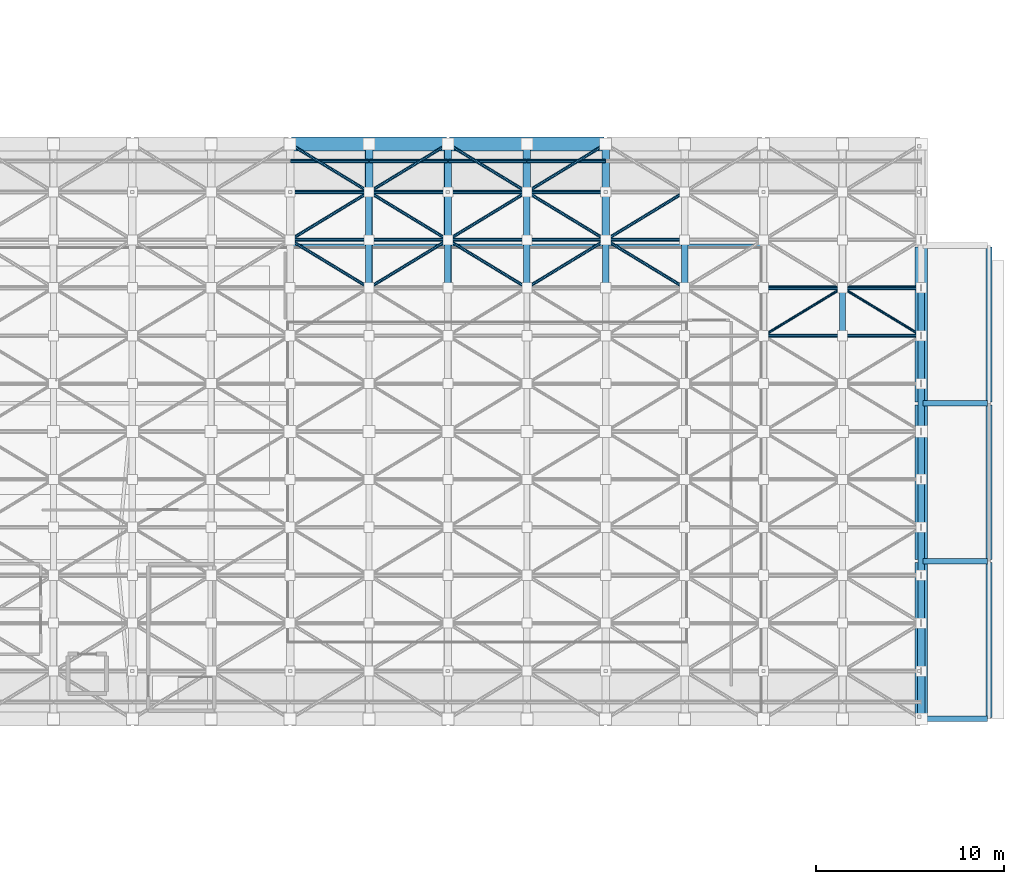
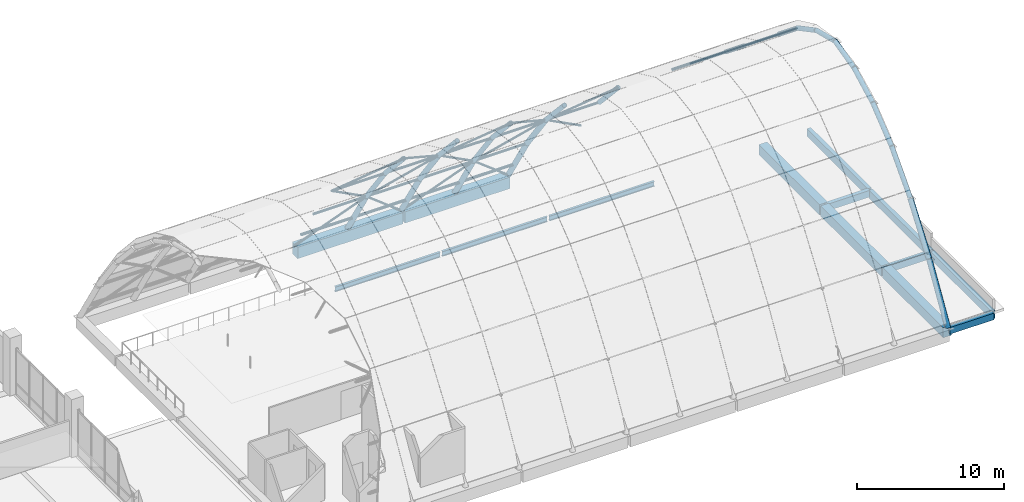
# One storey, part 36 of 128: 41 members, 29 beams.
"""IFC4 building model written with IfcOpenShell, lengths in metres."""

import ifcopenshell
import ifcopenshell.guid

model = None  # the IFC model being written
_history = None  # IfcOwnerHistory: only IFC2X3 demands one
_inside = {}  # id of a spatial element -> (the spatial element, [elements in it])
_under = {}  # id of a project, library or spatial element -> (it, [spatial elements below it])
_declared = {}  # id of a project -> (the project, [libraries it declares])
_typed = {}  # id of a type object -> (the type object, [elements of that type])
_made_of = {}  # id of a material, layer set ... -> (it, [elements and type objects made of it])


def new_model(schema):
    """Start an empty IFC model of exactly this schema.

    Asked for "IFC4X3", IfcOpenShell would pick the latest addendum, in which some entities
    have other attributes; the version numbers below select the first issue.
    IFC2X3 requires an IfcOwnerHistory on every rooted entity: one is made here for all.
    """
    global model, _history
    if schema == "IFC4X3":
        model = ifcopenshell.file(schema_version=(4, 3, 0, 0))
    else:
        model = ifcopenshell.file(schema=schema)
    _inside.clear()
    _under.clear()
    _declared.clear()
    _typed.clear()
    _made_of.clear()
    _history = None
    if model.schema == "IFC2X3":
        org = make("IfcOrganization", Name="unknown")
        user = make(
            "IfcPersonAndOrganization",
            ThePerson=make("IfcPerson", FamilyName="unknown"),
            TheOrganization=org,
        )
        app = make(
            "IfcApplication",
            ApplicationDeveloper=org,
            Version="unknown",
            ApplicationFullName="unknown",
            ApplicationIdentifier="unknown",
        )
        _history = make(
            "IfcOwnerHistory",
            OwningUser=user,
            OwningApplication=app,
            ChangeAction="ADDED",
            CreationDate=0,
        )
    return model


def make(cls, **values):
    """One entity of the class cls with the attributes given. An attribute that is None is left unset."""
    return model.create_entity(
        cls, **{name: value for name, value in values.items() if value is not None}
    )


def rooted(cls, **values):
    """An entity with a GlobalId (a new one), such as an element, a storey or a relation."""
    return make(cls, GlobalId=ifcopenshell.guid.new(), OwnerHistory=_history, **values)


def si_unit(unit_type, name, prefix=None):
    """IfcSIUnit, for example si_unit("LENGTHUNIT", "METRE", prefix="MILLI")."""
    return make("IfcSIUnit", UnitType=unit_type, Prefix=prefix, Name=name)


def assignment(units):
    """IfcUnitAssignment: the units of a project."""
    return None if units is None else make("IfcUnitAssignment", Units=units)


def point(xyz):
    """IfcCartesianPoint."""
    return None if xyz is None else make("IfcCartesianPoint", Coordinates=xyz)


def direction(xyz):
    """IfcDirection."""
    return None if xyz is None else make("IfcDirection", DirectionRatios=xyz)


def frame(location, z_axis=None, x_axis=None):
    """IfcAxis2Placement3D, a coordinate frame: its origin and axes. An axis left out is left unset."""
    return make(
        "IfcAxis2Placement3D",
        Location=point(location),
        Axis=direction(z_axis),
        RefDirection=direction(x_axis),
    )


def frame_2d(location, x_axis=None):
    """IfcAxis2Placement2D, a coordinate frame in the plane: its origin and x axis."""
    return make(
        "IfcAxis2Placement2D", Location=point(location), RefDirection=direction(x_axis)
    )


def origin():
    """The frame at (0, 0, 0) with its axes left unset."""
    return frame((0.0, 0.0, 0.0))


def origin_2d():
    """The frame at (0, 0) in the plane with its x axis left unset."""
    return frame_2d((0.0, 0.0))


def place(relative_to, where):
    """IfcLocalPlacement: puts the frame where relative to a parent placement (None: the world)."""
    return make(
        "IfcLocalPlacement", PlacementRelTo=relative_to, RelativePlacement=where
    )


def context(
    kind, dimensions, precision=None, world=None, true_north=None, identifier=None
):
    """IfcGeometricRepresentationContext, for example the 3D "Model" context."""
    return make(
        "IfcGeometricRepresentationContext",
        ContextIdentifier=identifier,
        ContextType=kind,
        CoordinateSpaceDimension=dimensions,
        Precision=precision,
        WorldCoordinateSystem=world,
        TrueNorth=true_north,
    )


def subcontext(parent, identifier, kind, view, scale=None):
    """IfcGeometricRepresentationSubContext, for example "Body" below "Model"."""
    return make(
        "IfcGeometricRepresentationSubContext",
        ContextIdentifier=identifier,
        ContextType=kind,
        ParentContext=parent,
        TargetScale=scale,
        TargetView=view,
    )


def project(units=None, contexts=None):
    """IfcProject with its units and contexts."""
    return rooted(
        "IfcProject",
        Name="project",
        RepresentationContexts=contexts,
        UnitsInContext=assignment(units),
    )


def spatial(cls, under=None, at=None, **own):
    """A site, building, storey or space (cls), placed at a placement, below another one or the project."""
    s = rooted(cls, ObjectPlacement=at, **own)
    if under is not None:
        _under.setdefault(under.id(), (under, []))[1].append(s)
    return s


def profile(cls, at=None, kind="AREA", **sizes):
    """A parametric profile (cls). Its sizes go by their IFC names, for example OverallWidth=200.0."""
    return make(cls, ProfileType=kind, Position=at, **sizes)


def rectangle(**sizes):
    """IfcRectangleProfileDef."""
    return profile("IfcRectangleProfileDef", **sizes)


def hollow_circle(**sizes):
    """IfcCircleHollowProfileDef."""
    return profile("IfcCircleHollowProfileDef", **sizes)


def i_section(**sizes):
    """IfcIShapeProfileDef."""
    return profile("IfcIShapeProfileDef", **sizes)


def extrude(swept, where, along, depth):
    """IfcExtrudedAreaSolid: the profile swept, set in the frame where, extruded along a direction by depth."""
    return make(
        "IfcExtrudedAreaSolid",
        SweptArea=swept,
        Position=where,
        ExtrudedDirection=direction(along),
        Depth=depth,
    )


def shape(context_of_items, identifier, shape_type, items):
    """IfcShapeRepresentation: the items that make up one representation, for example the "Body"."""
    return make(
        "IfcShapeRepresentation",
        ContextOfItems=context_of_items,
        RepresentationIdentifier=identifier,
        RepresentationType=shape_type,
        Items=items,
    )


def material(Name=None, Category=None):
    """IfcMaterial."""
    return make("IfcMaterial", Name=Name, Category=Category)


def material_profile(
    of_material, cross_section, Name=None, Category=None, Priority=None
):
    """IfcMaterialProfile: a cross section and its material."""
    return make(
        "IfcMaterialProfile",
        Name=Name,
        Material=of_material,
        Profile=cross_section,
        Priority=Priority,
        Category=Category,
    )


def profile_set(profiles, Name=None, composite=None):
    """IfcMaterialProfileSet."""
    return make(
        "IfcMaterialProfileSet",
        Name=Name,
        MaterialProfiles=profiles,
        CompositeProfile=composite,
    )


def made_of(thing, what):
    """Note that an element or type object is made of a material, layer set ...; save() writes the relation."""
    if what is not None:
        _made_of.setdefault(what.id(), (what, []))[1].append(thing)
    return thing


def type_object(cls, material=None, **own):
    """A type object (cls), such as IfcWallType, which elements share."""
    return made_of(rooted(cls, **own), material)


def element(
    cls,
    number,
    at=None,
    inside=None,
    cuts=None,
    type_object=None,
    material=None,
    context=None,
    identifier="Body",
    shape_type=None,
    held_by="IfcProductDefinitionShape",
    body=None,
    shapes=None,
    **own,
):
    """One element of the class cls, such as IfcWall. Its Tag is "e" and its number.

    at: its placement. inside: the storey or other place that contains it. cuts: it is an
    opening in that element (IfcRelVoidsElement). A single representation is given by context,
    identifier, shape_type and body (its items); several are given by shapes. held_by: the class
    of the entity that holds the representations. save() writes the other relations.
    """
    e = rooted(cls, Tag="e%d" % number, ObjectPlacement=at, **own)
    if body is not None:
        shapes = [shape(context, identifier, shape_type, body)]
    if shapes is not None:
        e.Representation = make(held_by, Representations=shapes)
    if inside is not None:
        _inside.setdefault(inside.id(), (inside, []))[1].append(e)
    if cuts is not None:
        rooted(
            "IfcRelVoidsElement", RelatingBuildingElement=cuts, RelatedOpeningElement=e
        )
    if type_object is not None:
        _typed.setdefault(type_object.id(), (type_object, []))[1].append(e)
    return made_of(e, material)


def aggregate(whole, parts):
    """IfcRelAggregates: a whole, such as a stair, and the parts it consists of."""
    return rooted("IfcRelAggregates", RelatingObject=whole, RelatedObjects=parts)


def save(model, path):
    """Write the relations noted so far, then the file.

    IfcRelAggregates (storeys below a building ...), IfcRelContainedInSpatialStructure (elements
    in a storey), IfcRelDefinesByType, IfcRelAssociatesMaterial and IfcRelDeclares: one each for
    every whole, place, type object, material and project.
    """
    for whole, parts in _under.values():
        aggregate(whole, parts)
    for where, things in _inside.values():
        rooted(
            "IfcRelContainedInSpatialStructure",
            RelatedElements=things,
            RelatingStructure=where,
        )
    for kind, things in _typed.values():
        rooted("IfcRelDefinesByType", RelatedObjects=things, RelatingType=kind)
    for what, things in _made_of.values():
        rooted("IfcRelAssociatesMaterial", RelatedObjects=things, RelatingMaterial=what)
    for by, libraries in _declared.values():
        rooted("IfcRelDeclares", RelatingContext=by, RelatedDefinitions=libraries)
    model.write(path)


model = new_model("IFC4")

# Units and contexts
model_context = context("Model", 3, precision=1e-05, world=origin(), true_north=direction((0.0, 1.0)))
body_context = subcontext(model_context, "Body", "Model", "MODEL_VIEW")
ifc_project = project(units=[si_unit("LENGTHUNIT", "METRE"), si_unit("AREAUNIT", "SQUARE_METRE"), si_unit("VOLUMEUNIT", "CUBIC_METRE"), si_unit("PLANEANGLEUNIT", "RADIAN"), si_unit("MASSUNIT", "GRAM", prefix="KILO")], contexts=[model_context])

# Site, building, storey
site_placement = place(None, origin())
site = spatial("IfcSite", under=ifc_project, at=site_placement, CompositionType="ELEMENT")
building_placement = place(site_placement, origin())
building = spatial("IfcBuilding", under=site, at=building_placement, Name="Telukmera Botanical Conservatory", CompositionType="ELEMENT")
storey_placement = place(building_placement, frame((0.0, 0.0, 5.39990234375)))
storey = spatial("IfcBuildingStorey", under=building, at=storey_placement, Name="L01", CompositionType="ELEMENT", Elevation=5.39990234375)

# Beams
ifc_material_1 = material(Name="Concrete C40/50", Category="concrete")
ifc_material_profile_1 = material_profile(ifc_material_1, rectangle(XDim=0.300048828125, YDim=0.550048828125, at=origin_2d()), Name="RC 300x550")
ifc_profile_set_1 = profile_set([ifc_material_profile_1], Name="Concrete C40/50")
beam_type_1 = type_object("IfcBeamType", Name="Beam_B10", PredefinedType="BEAM", material=ifc_profile_set_1)
for number, where, z_axis, x_axis, name in (
    (1, (168.080078125, 17.60009765625, -0.27490234375), (1.0, 0.0, 0.0), (0.0, 1.0, 0.0), "Conservatory Beam beam:V1:L01:east_x:176"),
    (2, (168.080078125, 26.0, -0.27490234375), (1.0, 0.0, 0.0), (0.0, 1.0, 0.0), "Conservatory Beam beam:V1:L01:east_x:260"),
    (3, (168.080078125, 34.39990234375, -0.27490234375), (1.0, 0.0, 0.0), (0.0, 1.0, 0.0), "Conservatory Beam beam:V1:L01:east_x:344"),
):
    element("IfcBeam", number, at=place(storey_placement, frame(where, z_axis=z_axis, x_axis=x_axis)), inside=storey, type_object=beam_type_1, Name=name, PredefinedType="BEAM", context=body_context, shape_type="SweptSolid", body=[
        extrude(rectangle(XDim=0.300048828125, YDim=0.550048828125, at=origin_2d()), origin(), (0.0, 0.0, 1.0), 3.43994140625),
    ])
ifc_material_2 = material(Name="Steel S355", Category="steel")
ifc_material_profile_2 = material_profile(ifc_material_2, hollow_circle(Radius=0.203125, WallThickness=0.01611328125, at=origin_2d()), Name="CHS 406.4x16.0")
ifc_profile_set_2 = profile_set([ifc_material_profile_2], Name="Steel S355")
beam_type_2 = type_object("IfcBeamType", Name="Beam_GA1", PredefinedType="BEAM", material=ifc_profile_set_2)
beam_1_placement = place(storey_placement, frame((142.800048828125, 43.11181640625, 7.562255859375), z_axis=(0.0, 0.591606531355, -0.806226836603), x_axis=(-1.0, 0.0, 0.0)))
element("IfcBeam", 4, at=beam_1_placement, inside=storey, type_object=beam_type_2, Name="Conservatory Gridshell Primary Arch Rib A06-10", PredefinedType="BEAM", context=body_context, shape_type="SweptSolid", body=[
    extrude(hollow_circle(Radius=0.203125, WallThickness=0.01611328125, at=origin_2d()), origin(), (0.0, 0.0, 1.0), 4.270263671875),
])
beam_2_placement = place(storey_placement, frame((142.800048828125, 45.660400390625, 4.086181640625), z_axis=(0.0, 0.5205024389, -0.853860182406), x_axis=(-1.0, 0.0, 0.0)))
element("IfcBeam", 5, at=beam_2_placement, inside=storey, type_object=beam_type_2, Name="Conservatory Gridshell Primary Arch Rib A06-11", PredefinedType="BEAM", context=body_context, shape_type="SweptSolid", body=[
    extrude(hollow_circle(Radius=0.203125, WallThickness=0.01611328125, at=origin_2d()), origin(), (0.0, 0.0, 1.0), 4.879150390625),
])
beam_3_placement = place(storey_placement, frame((151.199951171875, 43.11181640625, 7.562255859375), z_axis=(0.0, 0.591606531355, -0.806226836603), x_axis=(-1.0, 0.0, 0.0)))
element("IfcBeam", 6, at=beam_3_placement, inside=storey, type_object=beam_type_2, Name="Conservatory Gridshell Primary Arch Rib A08-10", PredefinedType="BEAM", context=body_context, shape_type="SweptSolid", body=[
    extrude(hollow_circle(Radius=0.203125, WallThickness=0.01611328125, at=origin_2d()), origin(), (0.0, 0.0, 1.0), 4.270263671875),
])
for number, where, z_axis, x_axis, name in (
    (7, (151.199951171875, 45.660400390625, 4.086181640625), (0.0, 0.5205024389, -0.853860182406), (-1.0, 0.0, 0.0), "Conservatory Gridshell Primary Arch Rib A08-11"),
    (8, (168.0, 17.60009765625, -0.079833984375), (0.0, 0.5205024389, 0.853860182406), (-1.0, 0.0, 0.0), "Conservatory Gridshell Primary Arch Rib A12-00"),
):
    element("IfcBeam", number, at=place(storey_placement, frame(where, z_axis=z_axis, x_axis=x_axis)), inside=storey, type_object=beam_type_2, Name=name, PredefinedType="BEAM", context=body_context, shape_type="SweptSolid", body=[
        extrude(hollow_circle(Radius=0.203125, WallThickness=0.01611328125, at=origin_2d()), origin(), (0.0, 0.0, 1.0), 4.879150390625),
    ])
beam_4_placement = place(storey_placement, frame((168.0, 20.161865234375, 4.119384765625), z_axis=(0.0, 0.591606531355, 0.806226836603), x_axis=(-1.0, 0.0, 0.0)))
element("IfcBeam", 9, at=beam_4_placement, inside=storey, type_object=beam_type_2, Name="Conservatory Gridshell Primary Arch Rib A12-01", PredefinedType="BEAM", context=body_context, shape_type="SweptSolid", body=[
    extrude(hollow_circle(Radius=0.203125, WallThickness=0.01611328125, at=origin_2d()), origin(), (0.0, 0.0, 1.0), 4.270263671875),
])
ifc_material_profile_3 = material_profile(ifc_material_2, hollow_circle(Radius=0.177734375, WallThickness=0.012451171875, at=origin_2d()), Name="CHS 355.6x12.5")
ifc_profile_set_3 = profile_set([ifc_material_profile_3], Name="Steel S355")
beam_type_3 = type_object("IfcBeamType", Name="Beam_GA2", PredefinedType="BEAM", material=ifc_profile_set_3)
for number, where, z_axis, x_axis, name in (
    (10, (142.800048828125, 40.563720703125, 10.3310546875), (0.0, 0.677596185256, -0.7354341641), (-1.0, 0.0, 0.0), "Conservatory Gridshell Primary Arch Rib A06-09"),
    (11, (151.199951171875, 40.563720703125, 10.3310546875), (0.0, 0.677596185256, -0.7354341641), (-1.0, 0.0, 0.0), "Conservatory Gridshell Primary Arch Rib A08-09"),
    (12, (168.0, 22.713623046875, 7.593017578125), (0.0, 0.677596185256, 0.7354341641), (-1.0, 0.0, 0.0), "Conservatory Gridshell Primary Arch Rib A12-02"),
):
    element("IfcBeam", number, at=place(storey_placement, frame(where, z_axis=z_axis, x_axis=x_axis)), inside=storey, type_object=beam_type_3, Name=name, PredefinedType="BEAM", context=body_context, shape_type="SweptSolid", body=[
        extrude(hollow_circle(Radius=0.177734375, WallThickness=0.012451171875, at=origin_2d()), origin(), (0.0, 0.0, 1.0), 3.722900390625),
    ])
beam_5_placement = place(storey_placement, frame((168.0, 25.265625, 10.3583984375), z_axis=(0.0, 0.77797662105, 0.628293225413), x_axis=(-1.0, 0.0, 0.0)))
element("IfcBeam", 13, at=beam_5_placement, inside=storey, type_object=beam_type_3, Name="Conservatory Gridshell Primary Arch Rib A12-03", PredefinedType="BEAM", context=body_context, shape_type="SweptSolid", body=[
    extrude(hollow_circle(Radius=0.177734375, WallThickness=0.012451171875, at=origin_2d()), origin(), (0.0, 0.0, 1.0), 3.237548828125),
])
beam_6_placement = place(storey_placement, frame((168.0, 27.817626953125, 12.41455078125), z_axis=(0.0, 0.883608393745, 0.468226661462), x_axis=(-1.0, 0.0, 0.0)))
element("IfcBeam", 14, at=beam_6_placement, inside=storey, type_object=beam_type_3, Name="Conservatory Gridshell Primary Arch Rib A12-04", PredefinedType="BEAM", context=body_context, shape_type="SweptSolid", body=[
    extrude(hollow_circle(Radius=0.177734375, WallThickness=0.012451171875, at=origin_2d()), origin(), (0.0, 0.0, 1.0), 2.845947265625),
])
for number, where, z_axis, x_axis, name in (
    (15, (168.0, 30.369384765625, 13.761474609375), (0.0, 0.969596662505, 0.244708626858), (-1.0, 0.0, 0.0), "Conservatory Gridshell Primary Arch Rib A12-05"),
    (16, (168.0, 32.91943359375, 14.395263671875), (0.0, 0.969596662505, -0.244708626858), (-1.0, 0.0, 0.0), "Conservatory Gridshell Primary Arch Rib A12-06"),
):
    element("IfcBeam", number, at=place(storey_placement, frame(where, z_axis=z_axis, x_axis=x_axis)), inside=storey, type_object=beam_type_3, Name=name, PredefinedType="BEAM", context=body_context, shape_type="SweptSolid", body=[
        extrude(hollow_circle(Radius=0.177734375, WallThickness=0.012451171875, at=origin_2d()), origin(), (0.0, 0.0, 1.0), 2.590087890625),
    ])
beam_7_placement = place(storey_placement, frame((168.0, 35.4677734375, 13.7470703125), z_axis=(0.0, 0.883608393745, -0.468226661462), x_axis=(-1.0, 0.0, 0.0)))
element("IfcBeam", 17, at=beam_7_placement, inside=storey, type_object=beam_type_3, Name="Conservatory Gridshell Primary Arch Rib A12-07", PredefinedType="BEAM", context=body_context, shape_type="SweptSolid", body=[
    extrude(hollow_circle(Radius=0.177734375, WallThickness=0.012451171875, at=origin_2d()), origin(), (0.0, 0.0, 1.0), 2.845947265625),
])
beam_8_placement = place(storey_placement, frame((168.0, 38.015625, 12.392578125), z_axis=(0.0, 0.77797662105, -0.628293225413), x_axis=(-1.0, 0.0, 0.0)))
element("IfcBeam", 18, at=beam_8_placement, inside=storey, type_object=beam_type_3, Name="Conservatory Gridshell Primary Arch Rib A12-08", PredefinedType="BEAM", context=body_context, shape_type="SweptSolid", body=[
    extrude(hollow_circle(Radius=0.177734375, WallThickness=0.012451171875, at=origin_2d()), origin(), (0.0, 0.0, 1.0), 3.237548828125),
])
ifc_material_profile_4 = material_profile(ifc_material_1, rectangle(XDim=0.75, YDim=0.949951171875, at=origin_2d()), Name="RC 750x950")
ifc_profile_set_4 = profile_set([ifc_material_profile_4], Name="Concrete C40/50")
beam_type_4 = type_object("IfcBeamType", Name="Beam_RB1", PredefinedType="BEAM", material=ifc_profile_set_4)
beam_9_placement = place(storey_placement, frame((134.47998046875, 48.199951171875, -0.474853515625), z_axis=(1.0, 0.0, 0.0), x_axis=(0.0, 1.0, 0.0)))
element("IfcBeam", 19, at=beam_9_placement, inside=storey, type_object=beam_type_4, Name="Conservatory Beam beam:V1:L01:rb_x:482:1344", PredefinedType="BEAM", context=body_context, shape_type="SweptSolid", body=[
    extrude(rectangle(XDim=0.75, YDim=0.949951171875, at=origin_2d()), origin(), (0.0, 0.0, 1.0), 8.239990234375),
])
beam_10_placement = place(storey_placement, frame((142.8798828125, 48.199951171875, -0.474853515625), z_axis=(1.0, 0.0, 0.0), x_axis=(0.0, 1.0, 0.0)))
element("IfcBeam", 20, at=beam_10_placement, inside=storey, type_object=beam_type_4, Name="Conservatory Beam beam:V1:L01:rb_x:482:1428", PredefinedType="BEAM", context=body_context, shape_type="SweptSolid", body=[
    extrude(rectangle(XDim=0.75, YDim=0.949951171875, at=origin_2d()), origin(), (0.0, 0.0, 1.0), 8.240234375),
])
ifc_material_profile_5 = material_profile(ifc_material_1, rectangle(XDim=0.64990234375, YDim=0.85009765625, at=origin_2d()), Name="RC 650x850")
ifc_profile_set_5 = profile_set([ifc_material_profile_5], Name="Concrete C40/50")
beam_type_5 = type_object("IfcBeamType", Name="Beam_RB2", PredefinedType="BEAM", material=ifc_profile_set_5)
for number, where, z_axis, x_axis, name in (
    (21, (168.0, 17.679931640625, -0.4248046875), (0.0, 1.0, 0.0), (-1.0, 0.0, 0.0), "Conservatory Beam beam:V1:L01:rb_y:1680:176"),
    (22, (168.0, 26.080078125, -0.4248046875), (0.0, 1.0, 0.0), (-1.0, 0.0, 0.0), "Conservatory Beam beam:V1:L01:rb_y:1680:260"),
    (23, (168.0, 34.47998046875, -0.4248046875), (0.0, 1.0, 0.0), (-1.0, 0.0, 0.0), "Conservatory Beam beam:V1:L01:rb_y:1680:344"),
):
    element("IfcBeam", number, at=place(storey_placement, frame(where, z_axis=z_axis, x_axis=x_axis)), inside=storey, type_object=beam_type_5, Name=name, PredefinedType="BEAM", context=body_context, shape_type="SweptSolid", body=[
        extrude(rectangle(XDim=0.64990234375, YDim=0.85009765625, at=origin_2d()), origin(), (0.0, 0.0, 1.0), 8.239990234375),
    ])
ifc_material_profile_6 = material_profile(ifc_material_2, i_section(OverallWidth=0.1787109375, OverallDepth=0.409423828125, WebThickness=0.0087890625, FlangeThickness=0.014404296875, FilletRadius=0.01025390625, at=origin_2d()), Name="UB 406x178x67")
ifc_profile_set_6 = profile_set([ifc_material_profile_6], Name="Steel S355")
beam_type_6 = type_object("IfcBeamType", Name="Beam_SB4", PredefinedType="BEAM", material=ifc_profile_set_6)
beam_11_placement = place(storey_placement, frame((134.47998046875, 42.800048828125, -0.404541015625), z_axis=(1.0, 0.0, 0.0), x_axis=(0.0, 1.0, 0.0)))
element("IfcBeam", 24, at=beam_11_placement, inside=storey, type_object=beam_type_6, Name="Conservatory Skywalk Steel Girder", PredefinedType="BEAM", context=body_context, shape_type="SweptSolid", body=[
    extrude(i_section(OverallWidth=0.1787109375, OverallDepth=0.409423828125, WebThickness=0.0087890625, FlangeThickness=0.014404296875, FilletRadius=0.01025390625, at=origin_2d()), origin(), (0.0, 0.0, 1.0), 8.239990234375),
])
beam_12_placement = place(storey_placement, frame((142.8798828125, 42.800048828125, -0.404541015625), z_axis=(1.0, 0.0, 0.0), x_axis=(0.0, 1.0, 0.0)))
element("IfcBeam", 25, at=beam_12_placement, inside=storey, type_object=beam_type_6, Name="Conservatory Skywalk Steel Girder", PredefinedType="BEAM", context=body_context, shape_type="SweptSolid", body=[
    extrude(i_section(OverallWidth=0.1787109375, OverallDepth=0.409423828125, WebThickness=0.0087890625, FlangeThickness=0.014404296875, FilletRadius=0.01025390625, at=origin_2d()), origin(), (0.0, 0.0, 1.0), 8.240234375),
])
beam_13_placement = place(storey_placement, frame((151.280029296875, 42.800048828125, -0.404541015625), z_axis=(1.0, 0.0, 0.0), x_axis=(0.0, 1.0, 0.0)))
element("IfcBeam", 26, at=beam_13_placement, inside=storey, type_object=beam_type_6, Name="Conservatory Skywalk Steel Girder", PredefinedType="BEAM", context=body_context, shape_type="SweptSolid", body=[
    extrude(i_section(OverallWidth=0.1787109375, OverallDepth=0.409423828125, WebThickness=0.0087890625, FlangeThickness=0.014404296875, FilletRadius=0.01025390625, at=origin_2d()), origin(), (0.0, 0.0, 1.0), 8.239990234375),
])
ifc_material_3 = material(Name="Precast concrete C40/50", Category="concrete")
ifc_material_profile_7 = material_profile(ifc_material_3, rectangle(XDim=0.300048828125, YDim=0.64990234375, at=origin_2d()), Name="PC 300x650")
ifc_profile_set_7 = profile_set([ifc_material_profile_7], Name="Precast concrete C40/50")
beam_type_7 = type_object("IfcBeamType", Name="Beam_SP4", PredefinedType="SPANDREL", material=ifc_profile_set_7)
for number, where, z_axis, x_axis, name in (
    (27, (171.60009765625, 17.679931640625, -0.324951171875), (0.0, 1.0, 0.0), (-1.0, 0.0, 0.0), "Conservatory Beam beam:V1:L01:east_y:176"),
    (28, (171.60009765625, 26.080078125, -0.324951171875), (0.0, 1.0, 0.0), (-1.0, 0.0, 0.0), "Conservatory Beam beam:V1:L01:east_y:260"),
    (29, (171.60009765625, 34.47998046875, -0.324951171875), (0.0, 1.0, 0.0), (-1.0, 0.0, 0.0), "Conservatory Beam beam:V1:L01:east_y:344"),
):
    element("IfcBeam", number, at=place(storey_placement, frame(where, z_axis=z_axis, x_axis=x_axis)), inside=storey, type_object=beam_type_7, Name=name, PredefinedType="SPANDREL", context=body_context, shape_type="SweptSolid", body=[
        extrude(rectangle(XDim=0.300048828125, YDim=0.64990234375, at=origin_2d()), origin(), (0.0, 0.0, 1.0), 8.239990234375),
    ])

# Members
ifc_material_profile_8 = material_profile(ifc_material_2, hollow_circle(Radius=0.084228515625, WallThickness=0.008056640625, at=origin_2d()), Name="CHS 168.3x8.0")
ifc_profile_set_8 = profile_set([ifc_material_profile_8], Name="Steel S355")
member_type_1 = type_object("IfcMemberType", Name="Mem_GBX1", PredefinedType="USERDEFINED", material=ifc_profile_set_8)
member_1_placement = place(storey_placement, frame((138.5888671875, 40.556884765625, 10.33837890625), z_axis=(-0.744790622778, 0.452175653345, -0.49073832818), x_axis=(-0.518962491813, -0.854797012215, 0.0)))
element("IfcMember", 30, at=member_1_placement, inside=storey, type_object=member_type_1, Name="Conservatory Gridshell Diagrid Lacing Rib D04-09", ObjectType="GRIDSHELL_RIB", PredefinedType="USERDEFINED", context=body_context, shape_type="SweptSolid", body=[
    extrude(hollow_circle(Radius=0.084228515625, WallThickness=0.008056640625, at=origin_2d()), origin(), (0.0, 0.0, 1.0), 5.609375),
])
member_2_placement = place(storey_placement, frame((134.410400390625, 43.1064453125, 7.569580078125), z_axis=(0.697903605721, 0.423683506873, -0.57742778174), x_axis=(-0.5189390409, 0.854811249242, 0.0)))
element("IfcMember", 31, at=member_2_placement, inside=storey, type_object=member_type_1, Name="Conservatory Gridshell Diagrid Lacing Rib D04-10", ObjectType="GRIDSHELL_RIB", PredefinedType="USERDEFINED", context=body_context, shape_type="SweptSolid", body=[
    extrude(hollow_circle(Radius=0.084228515625, WallThickness=0.008056640625, at=origin_2d()), origin(), (0.0, 0.0, 1.0), 5.98828125),
])
member_3_placement = place(storey_placement, frame((138.590087890625, 45.656005859375, 4.093505859375), z_axis=(-0.650865922771, 0.395153697796, -0.648249262008), x_axis=(-0.518963837977, -0.854796194933, 0.0)))
element("IfcMember", 32, at=member_3_placement, inside=storey, type_object=member_type_1, Name="Conservatory Gridshell Diagrid Lacing Rib D04-11", ObjectType="GRIDSHELL_RIB", PredefinedType="USERDEFINED", context=body_context, shape_type="SweptSolid", body=[
    extrude(hollow_circle(Radius=0.084228515625, WallThickness=0.008056640625, at=origin_2d()), origin(), (0.0, 0.0, 1.0), 6.437744140625),
])
member_4_placement = place(storey_placement, frame((138.611083984375, 40.556884765625, 10.33837890625), z_axis=(0.744790622778, 0.452175653345, -0.49073832818), x_axis=(-0.518962491813, 0.854797012215, 0.0)))
element("IfcMember", 33, at=member_4_placement, inside=storey, type_object=member_type_1, Name="Conservatory Gridshell Diagrid Lacing Rib D05-09", ObjectType="GRIDSHELL_RIB", PredefinedType="USERDEFINED", context=body_context, shape_type="SweptSolid", body=[
    extrude(hollow_circle(Radius=0.084228515625, WallThickness=0.008056640625, at=origin_2d()), origin(), (0.0, 0.0, 1.0), 5.609375),
])
member_5_placement = place(storey_placement, frame((142.78955078125, 43.1064453125, 7.569580078125), z_axis=(-0.697882692567, 0.423695562374, -0.577444211885), x_axis=(-0.518961193204, -0.854797800622, 0.0)))
element("IfcMember", 34, at=member_5_placement, inside=storey, type_object=member_type_1, Name="Conservatory Gridshell Diagrid Lacing Rib D05-10", ObjectType="GRIDSHELL_RIB", PredefinedType="USERDEFINED", context=body_context, shape_type="SweptSolid", body=[
    extrude(hollow_circle(Radius=0.084228515625, WallThickness=0.008056640625, at=origin_2d()), origin(), (0.0, 0.0, 1.0), 5.988037109375),
])
member_6_placement = place(storey_placement, frame((138.60986328125, 45.656005859375, 4.093505859375), z_axis=(0.650865922771, 0.395153697796, -0.648249262008), x_axis=(-0.518963837977, 0.854796194933, 0.0)))
element("IfcMember", 35, at=member_6_placement, inside=storey, type_object=member_type_1, Name="Conservatory Gridshell Diagrid Lacing Rib D05-11", ObjectType="GRIDSHELL_RIB", PredefinedType="USERDEFINED", context=body_context, shape_type="SweptSolid", body=[
    extrude(hollow_circle(Radius=0.084228515625, WallThickness=0.008056640625, at=origin_2d()), origin(), (0.0, 0.0, 1.0), 6.437744140625),
])
member_7_placement = place(storey_placement, frame((146.98876953125, 40.556884765625, 10.33837890625), z_axis=(-0.74477124096, 0.452190311632, -0.490754236563), x_axis=(-0.518984652148, -0.854783557888, 0.0)))
element("IfcMember", 36, at=member_7_placement, inside=storey, type_object=member_type_1, Name="Conservatory Gridshell Diagrid Lacing Rib D06-09", ObjectType="GRIDSHELL_RIB", PredefinedType="USERDEFINED", context=body_context, shape_type="SweptSolid", body=[
    extrude(hollow_circle(Radius=0.084228515625, WallThickness=0.008056640625, at=origin_2d()), origin(), (0.0, 0.0, 1.0), 5.609130859375),
])
member_8_placement = place(storey_placement, frame((142.810546875, 43.1064453125, 7.569580078125), z_axis=(0.697882692567, 0.423695562374, -0.577444211885), x_axis=(-0.518961193204, 0.854797800622, 0.0)))
element("IfcMember", 37, at=member_8_placement, inside=storey, type_object=member_type_1, Name="Conservatory Gridshell Diagrid Lacing Rib D06-10", ObjectType="GRIDSHELL_RIB", PredefinedType="USERDEFINED", context=body_context, shape_type="SweptSolid", body=[
    extrude(hollow_circle(Radius=0.084228515625, WallThickness=0.008056640625, at=origin_2d()), origin(), (0.0, 0.0, 1.0), 5.988037109375),
])
member_9_placement = place(storey_placement, frame((146.990234375, 45.656005859375, 4.093505859375), z_axis=(-0.650865922771, 0.395153697796, -0.648249262008), x_axis=(-0.518963837977, -0.854796194933, 0.0)))
element("IfcMember", 38, at=member_9_placement, inside=storey, type_object=member_type_1, Name="Conservatory Gridshell Diagrid Lacing Rib D06-11", ObjectType="GRIDSHELL_RIB", PredefinedType="USERDEFINED", context=body_context, shape_type="SweptSolid", body=[
    extrude(hollow_circle(Radius=0.084228515625, WallThickness=0.008056640625, at=origin_2d()), origin(), (0.0, 0.0, 1.0), 6.437744140625),
])
member_10_placement = place(storey_placement, frame((147.01123046875, 40.556884765625, 10.33837890625), z_axis=(0.74477124096, 0.452190311632, -0.490754236563), x_axis=(-0.518984652148, 0.854783557888, 0.0)))
element("IfcMember", 39, at=member_10_placement, inside=storey, type_object=member_type_1, Name="Conservatory Gridshell Diagrid Lacing Rib D07-09", ObjectType="GRIDSHELL_RIB", PredefinedType="USERDEFINED", context=body_context, shape_type="SweptSolid", body=[
    extrude(hollow_circle(Radius=0.084228515625, WallThickness=0.008056640625, at=origin_2d()), origin(), (0.0, 0.0, 1.0), 5.609130859375),
])
member_11_placement = place(storey_placement, frame((151.189453125, 43.1064453125, 7.569580078125), z_axis=(-0.697882692567, 0.423695562374, -0.577444211885), x_axis=(-0.518961193204, -0.854797800622, 0.0)))
element("IfcMember", 40, at=member_11_placement, inside=storey, type_object=member_type_1, Name="Conservatory Gridshell Diagrid Lacing Rib D07-10", ObjectType="GRIDSHELL_RIB", PredefinedType="USERDEFINED", context=body_context, shape_type="SweptSolid", body=[
    extrude(hollow_circle(Radius=0.084228515625, WallThickness=0.008056640625, at=origin_2d()), origin(), (0.0, 0.0, 1.0), 5.988037109375),
])
member_12_placement = place(storey_placement, frame((147.009765625, 45.656005859375, 4.093505859375), z_axis=(0.650865922771, 0.395153697796, -0.648249262008), x_axis=(-0.518963837977, 0.854796194933, 0.0)))
element("IfcMember", 41, at=member_12_placement, inside=storey, type_object=member_type_1, Name="Conservatory Gridshell Diagrid Lacing Rib D07-11", ObjectType="GRIDSHELL_RIB", PredefinedType="USERDEFINED", context=body_context, shape_type="SweptSolid", body=[
    extrude(hollow_circle(Radius=0.084228515625, WallThickness=0.008056640625, at=origin_2d()), origin(), (0.0, 0.0, 1.0), 6.437744140625),
])
member_13_placement = place(storey_placement, frame((155.388916015625, 40.556884765625, 10.33837890625), z_axis=(-0.744790622778, 0.452175653345, -0.49073832818), x_axis=(-0.518962491813, -0.854797012215, 0.0)))
element("IfcMember", 42, at=member_13_placement, inside=storey, type_object=member_type_1, Name="Conservatory Gridshell Diagrid Lacing Rib D08-09", ObjectType="GRIDSHELL_RIB", PredefinedType="USERDEFINED", context=body_context, shape_type="SweptSolid", body=[
    extrude(hollow_circle(Radius=0.084228515625, WallThickness=0.008056640625, at=origin_2d()), origin(), (0.0, 0.0, 1.0), 5.609375),
])
member_14_placement = place(storey_placement, frame((151.21044921875, 43.1064453125, 7.569580078125), z_axis=(0.697882692567, 0.423695562374, -0.577444211885), x_axis=(-0.518961193204, 0.854797800622, 0.0)))
element("IfcMember", 43, at=member_14_placement, inside=storey, type_object=member_type_1, Name="Conservatory Gridshell Diagrid Lacing Rib D08-10", ObjectType="GRIDSHELL_RIB", PredefinedType="USERDEFINED", context=body_context, shape_type="SweptSolid", body=[
    extrude(hollow_circle(Radius=0.084228515625, WallThickness=0.008056640625, at=origin_2d()), origin(), (0.0, 0.0, 1.0), 5.988037109375),
])
ifc_material_profile_9 = material_profile(ifc_material_2, hollow_circle(Radius=0.06982421875, WallThickness=0.00634765625, at=origin_2d()), Name="CHS 139.7x6.3")
ifc_profile_set_9 = profile_set([ifc_material_profile_9], Name="Steel S355")
member_type_2 = type_object("IfcMemberType", Name="Mem_GBX2", PredefinedType="USERDEFINED", material=ifc_profile_set_9)
member_15_placement = place(storey_placement, frame((159.61181640625, 38.007080078125, 12.3994140625), z_axis=(0.788334461594, 0.478641512809, -0.386563162858), x_axis=(-0.518985958004, 0.854782765031, 0.0)))
element("IfcMember", 44, at=member_15_placement, inside=storey, type_object=member_type_2, Name="Conservatory Gridshell Diagrid Lacing Rib D10-08", ObjectType="GRIDSHELL_RIB", PredefinedType="USERDEFINED", context=body_context, shape_type="SweptSolid", body=[
    extrude(hollow_circle(Radius=0.06982421875, WallThickness=0.00634765625, at=origin_2d()), origin(), (0.0, 0.0, 1.0), 5.297607421875),
])
member_16_placement = place(storey_placement, frame((167.98828125, 38.007080078125, 12.3994140625), z_axis=(-0.788351905241, 0.478624123916, -0.386549119142), x_axis=(-0.518963791177, -0.854796223346, 0.0)))
element("IfcMember", 45, at=member_16_placement, inside=storey, type_object=member_type_2, Name="Conservatory Gridshell Diagrid Lacing Rib D11-08", ObjectType="GRIDSHELL_RIB", PredefinedType="USERDEFINED", context=body_context, shape_type="SweptSolid", body=[
    extrude(hollow_circle(Radius=0.06982421875, WallThickness=0.00634765625, at=origin_2d()), origin(), (0.0, 0.0, 1.0), 5.2978515625),
])
ifc_material_profile_10 = material_profile(ifc_material_2, hollow_circle(Radius=0.203125, WallThickness=0.01611328125, at=origin_2d()), Name="CHS 406.4x16.0")
ifc_profile_set_10 = profile_set([ifc_material_profile_10], Name="Steel S355")
member_type_3 = type_object("IfcMemberType", Name="Mem_GM1", PredefinedType="USERDEFINED", material=ifc_profile_set_10)
for number, where, z_axis, x_axis, name in (
    (46, (138.60009765625, 45.660400390625, 4.086181640625), (0.0, 0.5205024389, -0.853860182406), (-1.0, 0.0, 0.0), "Conservatory Gridshell Arch Segment A05-11"),
    (47, (147.0, 45.660400390625, 4.086181640625), (0.0, 0.5205024389, -0.853860182406), (-1.0, 0.0, 0.0), "Conservatory Gridshell Arch Segment A07-11"),
):
    element("IfcMember", number, at=place(storey_placement, frame(where, z_axis=z_axis, x_axis=x_axis)), inside=storey, type_object=member_type_3, Name=name, ObjectType="ARCH_SEGMENT", PredefinedType="USERDEFINED", context=body_context, shape_type="SweptSolid", body=[
        extrude(hollow_circle(Radius=0.203125, WallThickness=0.01611328125, at=origin_2d()), origin(), (0.0, 0.0, 1.0), 4.879150390625),
    ])
ifc_material_profile_11 = material_profile(ifc_material_2, hollow_circle(Radius=0.177734375, WallThickness=0.012451171875, at=origin_2d()), Name="CHS 355.6x12.5")
ifc_profile_set_11 = profile_set([ifc_material_profile_11], Name="Steel S355")
member_type_4 = type_object("IfcMemberType", Name="Mem_GM2", PredefinedType="USERDEFINED", material=ifc_profile_set_11)
member_17_placement = place(storey_placement, frame((138.60009765625, 40.563720703125, 10.3310546875), z_axis=(0.0, 0.677596185256, -0.7354341641), x_axis=(-1.0, 0.0, 0.0)))
element("IfcMember", 48, at=member_17_placement, inside=storey, type_object=member_type_4, Name="Conservatory Gridshell Arch Segment A05-09", ObjectType="ARCH_SEGMENT", PredefinedType="USERDEFINED", context=body_context, shape_type="SweptSolid", body=[
    extrude(hollow_circle(Radius=0.177734375, WallThickness=0.012451171875, at=origin_2d()), origin(), (0.0, 0.0, 1.0), 3.722900390625),
])
member_18_placement = place(storey_placement, frame((138.60009765625, 43.11181640625, 7.562255859375), z_axis=(0.0, 0.591606531355, -0.806226836603), x_axis=(-1.0, 0.0, 0.0)))
element("IfcMember", 49, at=member_18_placement, inside=storey, type_object=member_type_4, Name="Conservatory Gridshell Arch Segment A05-10", ObjectType="ARCH_SEGMENT", PredefinedType="USERDEFINED", context=body_context, shape_type="SweptSolid", body=[
    extrude(hollow_circle(Radius=0.177734375, WallThickness=0.012451171875, at=origin_2d()), origin(), (0.0, 0.0, 1.0), 4.270263671875),
])
member_19_placement = place(storey_placement, frame((147.0, 40.563720703125, 10.3310546875), z_axis=(0.0, 0.677596185256, -0.7354341641), x_axis=(-1.0, 0.0, 0.0)))
element("IfcMember", 50, at=member_19_placement, inside=storey, type_object=member_type_4, Name="Conservatory Gridshell Arch Segment A07-09", ObjectType="ARCH_SEGMENT", PredefinedType="USERDEFINED", context=body_context, shape_type="SweptSolid", body=[
    extrude(hollow_circle(Radius=0.177734375, WallThickness=0.012451171875, at=origin_2d()), origin(), (0.0, 0.0, 1.0), 3.722900390625),
])
member_20_placement = place(storey_placement, frame((147.0, 43.11181640625, 7.562255859375), z_axis=(0.0, 0.591606531355, -0.806226836603), x_axis=(-1.0, 0.0, 0.0)))
element("IfcMember", 51, at=member_20_placement, inside=storey, type_object=member_type_4, Name="Conservatory Gridshell Arch Segment A07-10", ObjectType="ARCH_SEGMENT", PredefinedType="USERDEFINED", context=body_context, shape_type="SweptSolid", body=[
    extrude(hollow_circle(Radius=0.177734375, WallThickness=0.012451171875, at=origin_2d()), origin(), (0.0, 0.0, 1.0), 4.270263671875),
])
member_21_placement = place(storey_placement, frame((155.39990234375, 40.563720703125, 10.3310546875), z_axis=(0.0, 0.677596185256, -0.7354341641), x_axis=(-1.0, 0.0, 0.0)))
element("IfcMember", 52, at=member_21_placement, inside=storey, type_object=member_type_4, Name="Conservatory Gridshell Arch Segment A09-09", ObjectType="ARCH_SEGMENT", PredefinedType="USERDEFINED", context=body_context, shape_type="SweptSolid", body=[
    extrude(hollow_circle(Radius=0.177734375, WallThickness=0.012451171875, at=origin_2d()), origin(), (0.0, 0.0, 1.0), 3.722900390625),
])
ifc_material_profile_12 = material_profile(ifc_material_2, hollow_circle(Radius=0.161865234375, WallThickness=0.012451171875, at=origin_2d()), Name="CHS 323.9x12.5")
ifc_profile_set_12 = profile_set([ifc_material_profile_12], Name="Steel S355")
member_type_5 = type_object("IfcMemberType", Name="Mem_GM3", PredefinedType="USERDEFINED", material=ifc_profile_set_12)
member_22_placement = place(storey_placement, frame((163.800048828125, 38.015625, 12.392578125), z_axis=(0.0, 0.77797662105, -0.628293225413), x_axis=(-1.0, 0.0, 0.0)))
element("IfcMember", 53, at=member_22_placement, inside=storey, type_object=member_type_5, Name="Conservatory Gridshell Arch Segment A11-08", ObjectType="ARCH_SEGMENT", PredefinedType="USERDEFINED", context=body_context, shape_type="SweptSolid", body=[
    extrude(hollow_circle(Radius=0.161865234375, WallThickness=0.012451171875, at=origin_2d()), origin(), (0.0, 0.0, 1.0), 3.237548828125),
])
ifc_material_profile_13 = material_profile(ifc_material_2, hollow_circle(Radius=0.109619140625, WallThickness=0.010009765625, at=origin_2d()), Name="CHS 219.1x10.0")
ifc_profile_set_13 = profile_set([ifc_material_profile_13], Name="Steel S355")
member_type_6 = type_object("IfcMemberType", Name="Mem_GP1", PredefinedType="PURLIN", material=ifc_profile_set_13)
member_23_placement = place(storey_placement, frame((134.419921875, 47.3076171875, 1.38427734375), z_axis=(1.0, 0.0, 0.0), x_axis=(0.0, 1.0, 0.0)))
element("IfcMember", 54, at=member_23_placement, inside=storey, type_object=member_type_6, Name="Conservatory Gridshell Longitudinal Rib P04-12", PredefinedType="PURLIN", context=body_context, shape_type="SweptSolid", body=[
    extrude(hollow_circle(Radius=0.109619140625, WallThickness=0.010009765625, at=origin_2d()), origin(), (0.0, 0.0, 1.0), 4.16015625),
])
for number, where, z_axis, x_axis, name in (
    (55, (138.6201171875, 47.3076171875, 1.38427734375), (1.0, 0.0, 0.0), (0.0, 1.0, 0.0), "Conservatory Gridshell Longitudinal Rib P05-12"),
    (56, (142.820068359375, 47.3076171875, 1.38427734375), (1.0, 0.0, 0.0), (0.0, 1.0, 0.0), "Conservatory Gridshell Longitudinal Rib P06-12"),
    (57, (147.02001953125, 47.3076171875, 1.38427734375), (1.0, 0.0, 0.0), (0.0, 1.0, 0.0), "Conservatory Gridshell Longitudinal Rib P07-12"),
    (58, (159.6201171875, 40.550048828125, 10.345703125), (1.0, 0.0, 0.0), (0.0, 1.0, 0.0), "Conservatory Gridshell Longitudinal Rib P10-09"),
    (59, (163.820068359375, 40.550048828125, 10.345703125), (1.0, 0.0, 0.0), (0.0, 1.0, 0.0), "Conservatory Gridshell Longitudinal Rib P11-09"),
):
    element("IfcMember", number, at=place(storey_placement, frame(where, z_axis=z_axis, x_axis=x_axis)), inside=storey, type_object=member_type_6, Name=name, PredefinedType="PURLIN", context=body_context, shape_type="SweptSolid", body=[
        extrude(hollow_circle(Radius=0.109619140625, WallThickness=0.010009765625, at=origin_2d()), origin(), (0.0, 0.0, 1.0), 4.159912109375),
    ])
ifc_material_profile_14 = material_profile(ifc_material_2, hollow_circle(Radius=0.096923828125, WallThickness=0.008056640625, at=origin_2d()), Name="CHS 193.7x8.0")
ifc_profile_set_14 = profile_set([ifc_material_profile_14], Name="Steel S355")
member_type_7 = type_object("IfcMemberType", Name="Mem_GP2", PredefinedType="PURLIN", material=ifc_profile_set_14)
for number, where, z_axis, x_axis, name in (
    (60, (134.419921875, 43.10009765625, 7.578369140625), (1.0, 0.0, 0.0), (0.0, 1.0, 0.0), "Conservatory Gridshell Longitudinal Rib P04-10"),
    (61, (134.419921875, 45.64990234375, 4.103271484375), (1.0, 0.0, 0.0), (0.0, 1.0, 0.0), "Conservatory Gridshell Longitudinal Rib P04-11"),
):
    element("IfcMember", number, at=place(storey_placement, frame(where, z_axis=z_axis, x_axis=x_axis)), inside=storey, type_object=member_type_7, Name=name, PredefinedType="PURLIN", context=body_context, shape_type="SweptSolid", body=[
        extrude(hollow_circle(Radius=0.096923828125, WallThickness=0.008056640625, at=origin_2d()), origin(), (0.0, 0.0, 1.0), 4.16015625),
    ])
for number, where, z_axis, x_axis, name in (
    (62, (138.6201171875, 43.10009765625, 7.578369140625), (1.0, 0.0, 0.0), (0.0, 1.0, 0.0), "Conservatory Gridshell Longitudinal Rib P05-10"),
    (63, (138.6201171875, 45.64990234375, 4.103271484375), (1.0, 0.0, 0.0), (0.0, 1.0, 0.0), "Conservatory Gridshell Longitudinal Rib P05-11"),
    (64, (142.820068359375, 43.10009765625, 7.578369140625), (1.0, 0.0, 0.0), (0.0, 1.0, 0.0), "Conservatory Gridshell Longitudinal Rib P06-10"),
    (65, (142.820068359375, 45.64990234375, 4.103271484375), (1.0, 0.0, 0.0), (0.0, 1.0, 0.0), "Conservatory Gridshell Longitudinal Rib P06-11"),
    (66, (147.02001953125, 43.10009765625, 7.578369140625), (1.0, 0.0, 0.0), (0.0, 1.0, 0.0), "Conservatory Gridshell Longitudinal Rib P07-10"),
    (67, (147.02001953125, 45.64990234375, 4.103271484375), (1.0, 0.0, 0.0), (0.0, 1.0, 0.0), "Conservatory Gridshell Longitudinal Rib P07-11"),
    (68, (151.219970703125, 43.10009765625, 7.578369140625), (1.0, 0.0, 0.0), (0.0, 1.0, 0.0), "Conservatory Gridshell Longitudinal Rib P08-10"),
    (69, (159.6201171875, 38.0, 12.405029296875), (1.0, 0.0, 0.0), (0.0, 1.0, 0.0), "Conservatory Gridshell Longitudinal Rib P10-08"),
    (70, (163.820068359375, 38.0, 12.405029296875), (1.0, 0.0, 0.0), (0.0, 1.0, 0.0), "Conservatory Gridshell Longitudinal Rib P11-08"),
):
    element("IfcMember", number, at=place(storey_placement, frame(where, z_axis=z_axis, x_axis=x_axis)), inside=storey, type_object=member_type_7, Name=name, PredefinedType="PURLIN", context=body_context, shape_type="SweptSolid", body=[
        extrude(hollow_circle(Radius=0.096923828125, WallThickness=0.008056640625, at=origin_2d()), origin(), (0.0, 0.0, 1.0), 4.159912109375),
    ])

save(model, "model.ifc")
